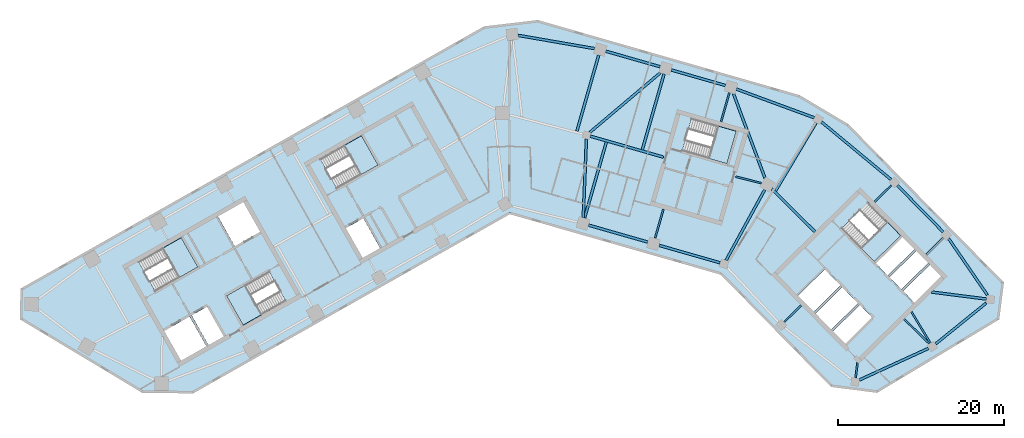
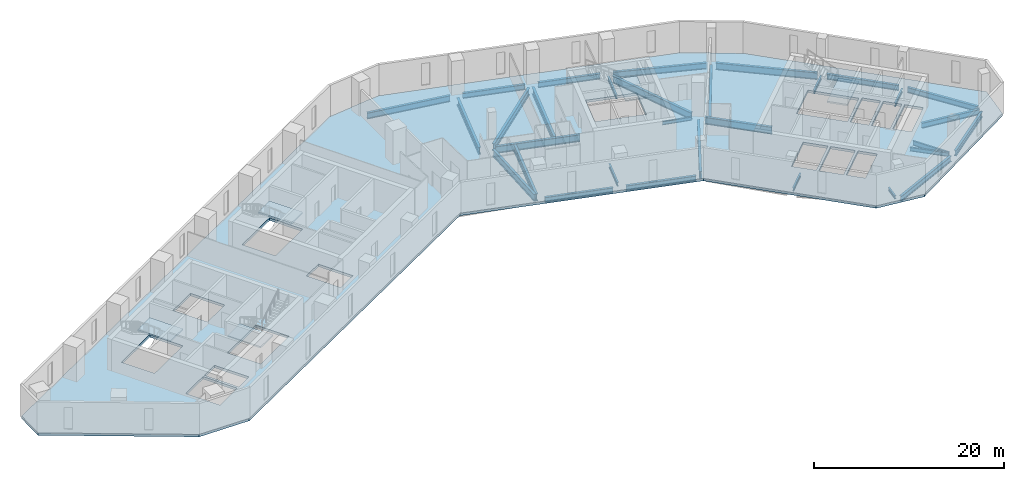
# One storey, part 2 of 10: 31 beams, 6 slabs, 5 elements without a shape of their own.
"""IFC4 building model written with IfcOpenShell, lengths in metres."""

import ifcopenshell
import ifcopenshell.guid

model = None  # the IFC model being written
_history = None  # IfcOwnerHistory: only IFC2X3 demands one
_inside = {}  # id of a spatial element -> (the spatial element, [elements in it])
_under = {}  # id of a project, library or spatial element -> (it, [spatial elements below it])
_declared = {}  # id of a project -> (the project, [libraries it declares])
_typed = {}  # id of a type object -> (the type object, [elements of that type])
_made_of = {}  # id of a material, layer set ... -> (it, [elements and type objects made of it])


def new_model(schema):
    """Start an empty IFC model of exactly this schema.

    Asked for "IFC4X3", IfcOpenShell would pick the latest addendum, in which some entities
    have other attributes; the version numbers below select the first issue.
    IFC2X3 requires an IfcOwnerHistory on every rooted entity: one is made here for all.
    """
    global model, _history
    if schema == "IFC4X3":
        model = ifcopenshell.file(schema_version=(4, 3, 0, 0))
    else:
        model = ifcopenshell.file(schema=schema)
    _inside.clear()
    _under.clear()
    _declared.clear()
    _typed.clear()
    _made_of.clear()
    _history = None
    if model.schema == "IFC2X3":
        org = make("IfcOrganization", Name="unknown")
        user = make(
            "IfcPersonAndOrganization",
            ThePerson=make("IfcPerson", FamilyName="unknown"),
            TheOrganization=org,
        )
        app = make(
            "IfcApplication",
            ApplicationDeveloper=org,
            Version="unknown",
            ApplicationFullName="unknown",
            ApplicationIdentifier="unknown",
        )
        _history = make(
            "IfcOwnerHistory",
            OwningUser=user,
            OwningApplication=app,
            ChangeAction="ADDED",
            CreationDate=0,
        )
    return model


def make(cls, **values):
    """One entity of the class cls with the attributes given. An attribute that is None is left unset."""
    return model.create_entity(
        cls, **{name: value for name, value in values.items() if value is not None}
    )


def rooted(cls, **values):
    """An entity with a GlobalId (a new one), such as an element, a storey or a relation."""
    return make(cls, GlobalId=ifcopenshell.guid.new(), OwnerHistory=_history, **values)


def si_unit(unit_type, name, prefix=None):
    """IfcSIUnit, for example si_unit("LENGTHUNIT", "METRE", prefix="MILLI")."""
    return make("IfcSIUnit", UnitType=unit_type, Prefix=prefix, Name=name)


def assignment(units):
    """IfcUnitAssignment: the units of a project."""
    return None if units is None else make("IfcUnitAssignment", Units=units)


def point(xyz):
    """IfcCartesianPoint."""
    return None if xyz is None else make("IfcCartesianPoint", Coordinates=xyz)


def direction(xyz):
    """IfcDirection."""
    return None if xyz is None else make("IfcDirection", DirectionRatios=xyz)


def frame(location, z_axis=None, x_axis=None):
    """IfcAxis2Placement3D, a coordinate frame: its origin and axes. An axis left out is left unset."""
    return make(
        "IfcAxis2Placement3D",
        Location=point(location),
        Axis=direction(z_axis),
        RefDirection=direction(x_axis),
    )


def frame_2d(location, x_axis=None):
    """IfcAxis2Placement2D, a coordinate frame in the plane: its origin and x axis."""
    return make(
        "IfcAxis2Placement2D", Location=point(location), RefDirection=direction(x_axis)
    )


def origin():
    """The frame at (0, 0, 0) with its axes left unset."""
    return frame((0.0, 0.0, 0.0))


def origin_2d():
    """The frame at (0, 0) in the plane with its x axis left unset."""
    return frame_2d((0.0, 0.0))


def place(relative_to, where):
    """IfcLocalPlacement: puts the frame where relative to a parent placement (None: the world)."""
    return make(
        "IfcLocalPlacement", PlacementRelTo=relative_to, RelativePlacement=where
    )


def context(
    kind, dimensions, precision=None, world=None, true_north=None, identifier=None
):
    """IfcGeometricRepresentationContext, for example the 3D "Model" context."""
    return make(
        "IfcGeometricRepresentationContext",
        ContextIdentifier=identifier,
        ContextType=kind,
        CoordinateSpaceDimension=dimensions,
        Precision=precision,
        WorldCoordinateSystem=world,
        TrueNorth=true_north,
    )


def subcontext(parent, identifier, kind, view, scale=None):
    """IfcGeometricRepresentationSubContext, for example "Body" below "Model"."""
    return make(
        "IfcGeometricRepresentationSubContext",
        ContextIdentifier=identifier,
        ContextType=kind,
        ParentContext=parent,
        TargetScale=scale,
        TargetView=view,
    )


def project(units=None, contexts=None):
    """IfcProject with its units and contexts."""
    return rooted(
        "IfcProject",
        Name="project",
        RepresentationContexts=contexts,
        UnitsInContext=assignment(units),
    )


def spatial(cls, under=None, at=None, **own):
    """A site, building, storey or space (cls), placed at a placement, below another one or the project."""
    s = rooted(cls, ObjectPlacement=at, **own)
    if under is not None:
        _under.setdefault(under.id(), (under, []))[1].append(s)
    return s


def polyline(points):
    """IfcPolyline through the points."""
    return make("IfcPolyline", Points=[point(p) for p in points])


def profile(cls, at=None, kind="AREA", **sizes):
    """A parametric profile (cls). Its sizes go by their IFC names, for example OverallWidth=200.0."""
    return make(cls, ProfileType=kind, Position=at, **sizes)


def i_section(**sizes):
    """IfcIShapeProfileDef."""
    return profile("IfcIShapeProfileDef", **sizes)


def outline(outer, holes=None, kind="AREA"):
    """IfcArbitraryClosedProfileDef: a profile drawn as a closed curve; with holes, ...WithVoids."""
    if holes is None:
        return make("IfcArbitraryClosedProfileDef", ProfileType=kind, OuterCurve=outer)
    return make(
        "IfcArbitraryProfileDefWithVoids",
        ProfileType=kind,
        OuterCurve=outer,
        InnerCurves=holes,
    )


def extrude(swept, where, along, depth):
    """IfcExtrudedAreaSolid: the profile swept, set in the frame where, extruded along a direction by depth."""
    return make(
        "IfcExtrudedAreaSolid",
        SweptArea=swept,
        Position=where,
        ExtrudedDirection=direction(along),
        Depth=depth,
    )


def shape(context_of_items, identifier, shape_type, items):
    """IfcShapeRepresentation: the items that make up one representation, for example the "Body"."""
    return make(
        "IfcShapeRepresentation",
        ContextOfItems=context_of_items,
        RepresentationIdentifier=identifier,
        RepresentationType=shape_type,
        Items=items,
    )


def material(Name=None, Category=None):
    """IfcMaterial."""
    return make("IfcMaterial", Name=Name, Category=Category)


def layer(
    of_material, thickness, ventilated=None, Name=None, Category=None, Priority=None
):
    """IfcMaterialLayer: one layer of a wall or slab, of a material (None: an air gap)."""
    return make(
        "IfcMaterialLayer",
        Material=of_material,
        LayerThickness=thickness,
        IsVentilated=ventilated,
        Name=Name,
        Category=Category,
        Priority=Priority,
    )


def layer_set(layers, Name=None):
    """IfcMaterialLayerSet."""
    return make("IfcMaterialLayerSet", MaterialLayers=layers, LayerSetName=Name)


def material_profile(
    of_material, cross_section, Name=None, Category=None, Priority=None
):
    """IfcMaterialProfile: a cross section and its material."""
    return make(
        "IfcMaterialProfile",
        Name=Name,
        Material=of_material,
        Profile=cross_section,
        Priority=Priority,
        Category=Category,
    )


def profile_set(profiles, Name=None, composite=None):
    """IfcMaterialProfileSet."""
    return make(
        "IfcMaterialProfileSet",
        Name=Name,
        MaterialProfiles=profiles,
        CompositeProfile=composite,
    )


def made_of(thing, what):
    """Note that an element or type object is made of a material, layer set ...; save() writes the relation."""
    if what is not None:
        _made_of.setdefault(what.id(), (what, []))[1].append(thing)
    return thing


def type_object(cls, material=None, **own):
    """A type object (cls), such as IfcWallType, which elements share."""
    return made_of(rooted(cls, **own), material)


def element(
    cls,
    number,
    at=None,
    inside=None,
    cuts=None,
    type_object=None,
    material=None,
    context=None,
    identifier="Body",
    shape_type=None,
    held_by="IfcProductDefinitionShape",
    body=None,
    shapes=None,
    **own,
):
    """One element of the class cls, such as IfcWall. Its Tag is "e" and its number.

    at: its placement. inside: the storey or other place that contains it. cuts: it is an
    opening in that element (IfcRelVoidsElement). A single representation is given by context,
    identifier, shape_type and body (its items); several are given by shapes. held_by: the class
    of the entity that holds the representations. save() writes the other relations.
    """
    e = rooted(cls, Tag="e%d" % number, ObjectPlacement=at, **own)
    if body is not None:
        shapes = [shape(context, identifier, shape_type, body)]
    if shapes is not None:
        e.Representation = make(held_by, Representations=shapes)
    if inside is not None:
        _inside.setdefault(inside.id(), (inside, []))[1].append(e)
    if cuts is not None:
        rooted(
            "IfcRelVoidsElement", RelatingBuildingElement=cuts, RelatedOpeningElement=e
        )
    if type_object is not None:
        _typed.setdefault(type_object.id(), (type_object, []))[1].append(e)
    return made_of(e, material)


def aggregate(whole, parts):
    """IfcRelAggregates: a whole, such as a stair, and the parts it consists of."""
    return rooted("IfcRelAggregates", RelatingObject=whole, RelatedObjects=parts)


def save(model, path):
    """Write the relations noted so far, then the file.

    IfcRelAggregates (storeys below a building ...), IfcRelContainedInSpatialStructure (elements
    in a storey), IfcRelDefinesByType, IfcRelAssociatesMaterial and IfcRelDeclares: one each for
    every whole, place, type object, material and project.
    """
    for whole, parts in _under.values():
        aggregate(whole, parts)
    for where, things in _inside.values():
        rooted(
            "IfcRelContainedInSpatialStructure",
            RelatedElements=things,
            RelatingStructure=where,
        )
    for kind, things in _typed.values():
        rooted("IfcRelDefinesByType", RelatedObjects=things, RelatingType=kind)
    for what, things in _made_of.values():
        rooted("IfcRelAssociatesMaterial", RelatedObjects=things, RelatingMaterial=what)
    for by, libraries in _declared.values():
        rooted("IfcRelDeclares", RelatingContext=by, RelatedDefinitions=libraries)
    model.write(path)


model = new_model("IFC4")

# Units and contexts
model_context = context("Model", 3, precision=1e-05, world=origin(), true_north=direction((0.0, 1.0)))
body_context = subcontext(model_context, "Body", "Model", "MODEL_VIEW")
ifc_project = project(units=[si_unit("LENGTHUNIT", "METRE"), si_unit("AREAUNIT", "SQUARE_METRE"), si_unit("VOLUMEUNIT", "CUBIC_METRE"), si_unit("PLANEANGLEUNIT", "RADIAN"), si_unit("MASSUNIT", "GRAM", prefix="KILO")], contexts=[model_context])

# Site, building, storey
site_placement = place(None, origin())
site = spatial("IfcSite", under=ifc_project, at=site_placement, CompositionType="ELEMENT")
building_placement = place(site_placement, origin())
building = spatial("IfcBuilding", under=site, at=building_placement, Name="Binnacle Exchange Tower", CompositionType="ELEMENT")
storey_placement = place(building_placement, frame((0.0, 0.0, 101.5)))
storey = spatial("IfcBuildingStorey", under=building, at=storey_placement, Name="L20", CompositionType="ELEMENT", Elevation=101.5)

# Beams
ifc_material_1 = material(Name="Steel S355 (SHN355)", Category="steel")
ifc_material_profile_1 = material_profile(ifc_material_1, i_section(OverallWidth=0.300048828125, OverallDepth=0.699951171875, WebThickness=0.012939453125, FlangeThickness=0.02392578125, FilletRadius=0.028076171875, at=origin_2d()), Name="H 700x300x13x24")
ifc_profile_set_1 = profile_set([ifc_material_profile_1], Name="Steel S355 (SHN355)")
beam_type_1 = type_object("IfcBeamType", Name="Edge girder H 700x300x13x24 Steel S355 (SHN355)", PredefinedType="SPANDREL", material=ifc_profile_set_1)
beam_1_placement = place(storey_placement, frame((9.482421875, 46.529296875, -0.669921875), z_axis=(0.961257800717, -0.275650939705, 0.0), x_axis=(0.275650939705, 0.961257800717, 0.0)))
element("IfcBeam", 1, at=beam_1_placement, inside=storey, type_object=beam_type_1, Name="S:BM:edge:L20:030", PredefinedType="SPANDREL", context=body_context, shape_type="SweptSolid", body=[
    extrude(i_section(OverallWidth=0.300048828125, OverallDepth=0.699951171875, WebThickness=0.012939453125, FlangeThickness=0.02392578125, FilletRadius=0.028076171875, at=origin_2d()), origin(), (0.0, 0.0, 1.0), 7.42041015625),
])
beam_2_placement = place(storey_placement, frame((17.961181640625, 44.09814453125, -0.669921875), z_axis=(0.961257524102, -0.275651904325, 0.0), x_axis=(0.275651904325, 0.961257524102, 0.0)))
element("IfcBeam", 2, at=beam_2_placement, inside=storey, type_object=beam_type_1, Name="S:BM:edge:L20:032", PredefinedType="SPANDREL", context=body_context, shape_type="SweptSolid", body=[
    extrude(i_section(OverallWidth=0.300048828125, OverallDepth=0.699951171875, WebThickness=0.012939453125, FlangeThickness=0.02392578125, FilletRadius=0.028076171875, at=origin_2d()), origin(), (0.0, 0.0, 1.0), 7.620361328125),
])
for number, where, z_axis, x_axis, name in (
    (3, (18.073486328125, 65.569091796875, -0.669921875), (-0.961258249907, 0.275649373272, 0.0), (-0.275649373272, -0.961258249907, 0.0), "S:BM:edge:L20:033"),
    (4, (25.9296875, 63.31640625, -0.669921875), (-0.961258249907, 0.275649373272, 0.0), (-0.275649373272, -0.961258249907, 0.0), "S:BM:edge:L20:034"),
):
    element("IfcBeam", number, at=place(storey_placement, frame(where, z_axis=z_axis, x_axis=x_axis)), inside=storey, type_object=beam_type_1, Name=name, PredefinedType="SPANDREL", context=body_context, shape_type="SweptSolid", body=[
        extrude(i_section(OverallWidth=0.300048828125, OverallDepth=0.699951171875, WebThickness=0.012939453125, FlangeThickness=0.02392578125, FilletRadius=0.028076171875, at=origin_2d()), origin(), (0.0, 0.0, 1.0), 6.77294921875),
    ])
beam_3_placement = place(storey_placement, frame((51.20458984375, 32.248291015625, -0.669921875), z_axis=(0.777570349394, 0.628795953981, 0.0), x_axis=(-0.628795953981, 0.777570349394, 0.0)))
element("IfcBeam", 5, at=beam_3_placement, inside=storey, type_object=beam_type_1, Name="S:BM:edge:L20:040", PredefinedType="SPANDREL", context=body_context, shape_type="SweptSolid", body=[
    extrude(i_section(OverallWidth=0.300048828125, OverallDepth=0.699951171875, WebThickness=0.012939453125, FlangeThickness=0.02392578125, FilletRadius=0.028076171875, at=origin_2d()), origin(), (0.0, 0.0, 1.0), 7.788330078125),
])
beam_4_placement = place(storey_placement, frame((52.1162109375, 45.69580078125, -0.669921875), z_axis=(-0.700892629455, 0.713266795789, 0.0), x_axis=(-0.713266795789, -0.700892629455, 0.0)))
element("IfcBeam", 6, at=beam_4_placement, inside=storey, type_object=beam_type_1, Name="S:BM:edge:L20:041", PredefinedType="SPANDREL", context=body_context, shape_type="SweptSolid", body=[
    extrude(i_section(OverallWidth=0.300048828125, OverallDepth=0.699951171875, WebThickness=0.012939453125, FlangeThickness=0.02392578125, FilletRadius=0.028076171875, at=origin_2d()), origin(), (0.0, 0.0, 1.0), 7.872314453125),
])
beam_5_placement = place(storey_placement, frame((57.41943359375, 38.13330078125, -0.669921875), z_axis=(-0.566410561214, 0.824123216604, 0.0), x_axis=(-0.824123216604, -0.566410561214, 0.0)))
element("IfcBeam", 7, at=beam_5_placement, inside=storey, type_object=beam_type_1, Name="S:BM:edge:L20:042", PredefinedType="SPANDREL", context=body_context, shape_type="SweptSolid", body=[
    extrude(i_section(OverallWidth=0.300048828125, OverallDepth=0.699951171875, WebThickness=0.012939453125, FlangeThickness=0.02392578125, FilletRadius=0.028076171875, at=origin_2d()), origin(), (0.0, 0.0, 1.0), 8.236083984375),
])
ifc_material_profile_2 = material_profile(ifc_material_1, i_section(OverallWidth=0.302001953125, OverallDepth=0.7080078125, WebThickness=0.014892578125, FlangeThickness=0.028076171875, FilletRadius=0.028076171875, at=origin_2d()), Name="H 708x302x15x28")
ifc_profile_set_2 = profile_set([ifc_material_profile_2], Name="Steel S355 (SHN355)")
beam_type_2 = type_object("IfcBeamType", Name="Edge girder H 708x302x15x28 Steel S355 (SHN355)", PredefinedType="SPANDREL", material=ifc_profile_set_2)
beam_6_placement = place(storey_placement, frame((42.054931640625, 27.919921875, -0.674072265625), z_axis=(0.909166515566, 0.41643276405, 0.0), x_axis=(-0.41643276405, 0.909166515566, 0.0)))
element("IfcBeam", 8, at=beam_6_placement, inside=storey, type_object=beam_type_2, Name="S:BM:edge:L20:038", PredefinedType="SPANDREL", context=body_context, shape_type="SweptSolid", body=[
    extrude(i_section(OverallWidth=0.302001953125, OverallDepth=0.7080078125, WebThickness=0.014892578125, FlangeThickness=0.028076171875, FilletRadius=0.028076171875, at=origin_2d()), origin(), (0.0, 0.0, 1.0), 9.128662109375),
])
ifc_material_profile_3 = material_profile(ifc_material_1, i_section(OverallWidth=0.300048828125, OverallDepth=0.800048828125, WebThickness=0.013916015625, FlangeThickness=0.02587890625, FilletRadius=0.028076171875, at=origin_2d()), Name="H 800x300x14x26")
ifc_profile_set_3 = profile_set([ifc_material_profile_3], Name="Steel S355 (SHN355)")
beam_type_3 = type_object("IfcBeamType", Name="Edge girder H 800x300x14x26 Steel S355 (SHN355)", PredefinedType="SPANDREL", material=ifc_profile_set_3)
beam_7_placement = place(storey_placement, frame((10.1962890625, 67.749267578125, -0.719970703125), z_axis=(-0.985312784176, 0.170759237931, 0.0), x_axis=(-0.170759237931, -0.985312784176, 0.0)))
element("IfcBeam", 9, at=beam_7_placement, inside=storey, type_object=beam_type_3, Name="S:BM:edge:L20:031", PredefinedType="SPANDREL", context=body_context, shape_type="SweptSolid", body=[
    extrude(i_section(OverallWidth=0.300048828125, OverallDepth=0.800048828125, WebThickness=0.013916015625, FlangeThickness=0.02587890625, FilletRadius=0.028076171875, at=origin_2d()), origin(), (0.0, 0.0, 1.0), 9.313232421875),
])
ifc_material_profile_4 = material_profile(ifc_material_1, i_section(OverallWidth=0.302001953125, OverallDepth=0.80810546875, WebThickness=0.01611328125, FlangeThickness=0.030029296875, FilletRadius=0.028076171875, at=origin_2d()), Name="H 808x302x16x30")
ifc_profile_set_4 = profile_set([ifc_material_profile_4], Name="Steel S355 (SHN355)")
beam_type_4 = type_object("IfcBeamType", Name="Edge girder H 808x302x16x30 Steel S355 (SHN355)", PredefinedType="SPANDREL", material=ifc_profile_set_4)
beam_8_placement = place(storey_placement, frame((36.60791015625, 59.438232421875, -0.72412109375), z_axis=(-0.938371988478, 0.3456269828, 0.0), x_axis=(-0.3456269828, -0.938371988478, 0.0)))
element("IfcBeam", 10, at=beam_8_placement, inside=storey, type_object=beam_type_4, Name="S:BM:edge:L20:037", PredefinedType="SPANDREL", context=body_context, shape_type="SweptSolid", body=[
    extrude(i_section(OverallWidth=0.302001953125, OverallDepth=0.80810546875, WebThickness=0.01611328125, FlangeThickness=0.030029296875, FilletRadius=0.028076171875, at=origin_2d()), origin(), (0.0, 0.0, 1.0), 9.96044921875),
])
ifc_material_profile_5 = material_profile(ifc_material_1, i_section(OverallWidth=0.300048828125, OverallDepth=0.89990234375, WebThickness=0.01611328125, FlangeThickness=0.028076171875, FilletRadius=0.028076171875, at=origin_2d()), Name="H 900x300x16x28")
ifc_profile_set_5 = profile_set([ifc_material_profile_5], Name="Steel S355 (SHN355)")
beam_type_5 = type_object("IfcBeamType", Name="Edge girder H 900x300x16x28 Steel S355 (SHN355)", PredefinedType="SPANDREL", material=ifc_profile_set_5)
beam_9_placement = place(storey_placement, frame((45.861083984375, 51.988037109375, -0.77001953125), z_axis=(-0.769903256509, 0.63816061898, 0.0), x_axis=(-0.63816061898, -0.769903256509, 0.0)))
element("IfcBeam", 11, at=beam_9_placement, inside=storey, type_object=beam_type_5, Name="S:BM:edge:L20:039", PredefinedType="SPANDREL", context=body_context, shape_type="SweptSolid", body=[
    extrude(i_section(OverallWidth=0.300048828125, OverallDepth=0.89990234375, WebThickness=0.01611328125, FlangeThickness=0.028076171875, FilletRadius=0.028076171875, at=origin_2d()), origin(), (0.0, 0.0, 1.0), 10.892822265625),
])
ifc_material_profile_6 = material_profile(ifc_material_1, i_section(OverallWidth=0.199951171875, OverallDepth=0.39990234375, WebThickness=0.008056640625, FlangeThickness=0.012939453125, FilletRadius=0.01611328125, at=origin_2d()), Name="H 400x200x8x13")
ifc_profile_set_6 = profile_set([ifc_material_profile_6], Name="Steel S355 (SHN355)")
beam_type_6 = type_object("IfcBeamType", Name="Floor beam H 400x200x8x13 Steel S355 (SHN355)", PredefinedType="BEAM", material=ifc_profile_set_6)
beam_10_placement = place(storey_placement, frame((41.582763671875, 28.1708984375, -0.52001953125), z_axis=(0.12626620762, 0.991996393549, 0.0), x_axis=(-0.991996393549, 0.12626620762, 0.0)))
element("IfcBeam", 12, at=beam_10_placement, inside=storey, type_object=beam_type_6, Name="S:BM:cross:L20:063", PredefinedType="BEAM", context=body_context, shape_type="SweptSolid", body=[
    extrude(i_section(OverallWidth=0.199951171875, OverallDepth=0.39990234375, WebThickness=0.008056640625, FlangeThickness=0.012939453125, FilletRadius=0.01611328125, at=origin_2d()), origin(), (0.0, 0.0, 1.0), 1.8310546875),
])
ifc_material_profile_7 = material_profile(ifc_material_1, i_section(OverallWidth=0.199951171875, OverallDepth=0.449951171875, WebThickness=0.009033203125, FlangeThickness=0.013916015625, FilletRadius=0.01806640625, at=origin_2d()), Name="H 450x200x9x14")
ifc_profile_set_7 = profile_set([ifc_material_profile_7], Name="Steel S355 (SHN355)")
beam_type_7 = type_object("IfcBeamType", Name="Floor beam H 450x200x9x14 Steel S355 (SHN355)", PredefinedType="BEAM", material=ifc_profile_set_7)
for number, where, z_axis, x_axis, name in (
    (13, (32.997802734375, 34.880615234375, -0.544921875), (0.713272005304, 0.700887327928, 0.0), (-0.700887327928, 0.713272005304, 0.0), "S:BM:cross:L20:061"),
    (14, (45.8916015625, 51.31689453125, -0.544921875), (-0.713272005304, -0.700887327928, 0.0), (0.700887327928, -0.713272005304, 0.0), "S:BM:cross:L20:064"),
    (15, (52.110107421875, 44.98876953125, -0.544921875), (-0.713272005304, -0.700887327928, 0.0), (0.700887327928, -0.713272005304, 0.0), "S:BM:cross:L20:066"),
):
    element("IfcBeam", number, at=place(storey_placement, frame(where, z_axis=z_axis, x_axis=x_axis)), inside=storey, type_object=beam_type_7, Name=name, PredefinedType="BEAM", context=body_context, shape_type="SweptSolid", body=[
        extrude(i_section(OverallWidth=0.199951171875, OverallDepth=0.449951171875, WebThickness=0.009033203125, FlangeThickness=0.013916015625, FilletRadius=0.01806640625, at=origin_2d()), origin(), (0.0, 0.0, 1.0), 2.8583984375),
    ])
ifc_material_profile_8 = material_profile(ifc_material_1, i_section(OverallWidth=0.200927734375, OverallDepth=0.506103515625, WebThickness=0.010986328125, FlangeThickness=0.01904296875, FilletRadius=0.02001953125, at=origin_2d()), Name="H 506x201x11x19")
ifc_profile_set_8 = profile_set([ifc_material_profile_8], Name="Steel S355 (SHN355)")
beam_type_8 = type_object("IfcBeamType", Name="Floor beam H 506x201x11x19 Steel S355 (SHN355)", PredefinedType="BEAM", material=ifc_profile_set_8)
beam_11_placement = place(storey_placement, frame((17.481201171875, 44.964111328125, -0.572998046875), z_axis=(0.275643564404, 0.961259915633, 0.0), x_axis=(-0.961259915633, 0.275643564404, 0.0)))
element("IfcBeam", 16, at=beam_11_placement, inside=storey, type_object=beam_type_8, Name="S:BM:cross:L20:058", PredefinedType="BEAM", context=body_context, shape_type="SweptSolid", body=[
    extrude(i_section(OverallWidth=0.200927734375, OverallDepth=0.506103515625, WebThickness=0.010986328125, FlangeThickness=0.01904296875, FilletRadius=0.02001953125, at=origin_2d()), origin(), (0.0, 0.0, 1.0), 3.635009765625),
])
beam_12_placement = place(storey_placement, frame((26.409912109375, 62.45068359375, -0.572998046875), z_axis=(-0.275687825643, -0.961247222515, 0.0), x_axis=(0.961247222515, -0.275687825643, 0.0)))
element("IfcBeam", 17, at=beam_12_placement, inside=storey, type_object=beam_type_8, Name="S:BM:cross:L20:060", PredefinedType="BEAM", context=body_context, shape_type="SweptSolid", body=[
    extrude(i_section(OverallWidth=0.200927734375, OverallDepth=0.506103515625, WebThickness=0.010986328125, FlangeThickness=0.01904296875, FilletRadius=0.02001953125, at=origin_2d()), origin(), (0.0, 0.0, 1.0), 3.63525390625),
])
ifc_material_profile_9 = material_profile(ifc_material_1, i_section(OverallWidth=0.199951171875, OverallDepth=0.60009765625, WebThickness=0.010986328125, FlangeThickness=0.01708984375, FilletRadius=0.02197265625, at=origin_2d()), Name="H 600x200x11x17")
ifc_profile_set_9 = profile_set([ifc_material_profile_9], Name="Steel S355 (SHN355)")
beam_type_9 = type_object("IfcBeamType", Name="Floor beam H 600x200x11x17 Steel S355 (SHN355)", PredefinedType="BEAM", material=ifc_profile_set_9)
beam_13_placement = place(storey_placement, frame((50.554443359375, 32.359619140625, -0.6201171875), z_axis=(-0.515054637465, 0.857157348697, 0.0), x_axis=(-0.857157348697, -0.515054637465, 0.0)))
element("IfcBeam", 18, at=beam_13_placement, inside=storey, type_object=beam_type_9, Name="S:BM:cross:L20:065", PredefinedType="BEAM", context=body_context, shape_type="SweptSolid", body=[
    extrude(i_section(OverallWidth=0.199951171875, OverallDepth=0.60009765625, WebThickness=0.010986328125, FlangeThickness=0.01708984375, FilletRadius=0.02197265625, at=origin_2d()), origin(), (0.0, 0.0, 1.0), 4.367431640625),
])
ifc_material_profile_10 = material_profile(ifc_material_1, i_section(OverallWidth=0.300048828125, OverallDepth=0.699951171875, WebThickness=0.012939453125, FlangeThickness=0.02392578125, FilletRadius=0.028076171875, at=origin_2d()), Name="H 700x300x13x24")
ifc_profile_set_10 = profile_set([ifc_material_profile_10], Name="Steel S355 (SHN355)")
beam_type_10 = type_object("IfcBeamType", Name="Floor beam H 700x300x13x24 Steel S355 (SHN355)", PredefinedType="BEAM", material=ifc_profile_set_10)
beam_14_placement = place(storey_placement, frame((57.302978515625, 37.64404296875, -0.669921875), z_axis=(-0.992004198178, 0.12620487628, 0.0), x_axis=(-0.12620487628, -0.992004198178, 0.0)))
element("IfcBeam", 19, at=beam_14_placement, inside=storey, type_object=beam_type_10, Name="S:BM:cross:L20:067", PredefinedType="BEAM", context=body_context, shape_type="SweptSolid", body=[
    extrude(i_section(OverallWidth=0.300048828125, OverallDepth=0.699951171875, WebThickness=0.012939453125, FlangeThickness=0.02392578125, FilletRadius=0.028076171875, at=origin_2d()), origin(), (0.0, 0.0, 1.0), 6.63134765625),
])
ifc_material_profile_11 = material_profile(ifc_material_1, i_section(OverallWidth=0.302978515625, OverallDepth=0.91796875, WebThickness=0.01904296875, FlangeThickness=0.037109375, FilletRadius=0.028076171875, at=origin_2d()), Name="H 918x303x19x37")
ifc_profile_set_11 = profile_set([ifc_material_profile_11], Name="Steel S355 (SHN355)")
beam_type_11 = type_object("IfcBeamType", Name="Floor beam H 918x303x19x37 Steel S355 (SHN355)", PredefinedType="BEAM", material=ifc_profile_set_11)
beam_15_placement = place(storey_placement, frame((9.00244140625, 47.395263671875, -0.779052734375), z_axis=(0.275642274849, 0.961260285415, 0.0), x_axis=(-0.961260285415, 0.275642274849, 0.0)))
element("IfcBeam", 20, at=beam_15_placement, inside=storey, type_object=beam_type_11, Name="S:BM:cross:L20:056", PredefinedType="BEAM", context=body_context, shape_type="SweptSolid", body=[
    extrude(i_section(OverallWidth=0.302978515625, OverallDepth=0.91796875, WebThickness=0.01904296875, FlangeThickness=0.037109375, FilletRadius=0.028076171875, at=origin_2d()), origin(), (0.0, 0.0, 1.0), 9.485107421875),
])
beam_16_placement = place(storey_placement, frame((10.697021484375, 66.9560546875, -0.779052734375), z_axis=(-0.27562260808, -0.961265924661, 0.0), x_axis=(0.961265924661, -0.27562260808, 0.0)))
element("IfcBeam", 21, at=beam_16_placement, inside=storey, type_object=beam_type_11, Name="S:BM:cross:L20:057", PredefinedType="BEAM", context=body_context, shape_type="SweptSolid", body=[
    extrude(i_section(OverallWidth=0.302978515625, OverallDepth=0.91796875, WebThickness=0.01904296875, FlangeThickness=0.037109375, FilletRadius=0.028076171875, at=origin_2d()), origin(), (0.0, 0.0, 1.0), 9.51318359375),
])
beam_17_placement = place(storey_placement, frame((18.553466796875, 64.703369140625, -0.779052734375), z_axis=(-0.275642274849, -0.961260285415, 0.0), x_axis=(0.961260285415, -0.275642274849, 0.0)))
element("IfcBeam", 22, at=beam_17_placement, inside=storey, type_object=beam_type_11, Name="S:BM:cross:L20:059", PredefinedType="BEAM", context=body_context, shape_type="SweptSolid", body=[
    extrude(i_section(OverallWidth=0.302978515625, OverallDepth=0.91796875, WebThickness=0.01904296875, FlangeThickness=0.037109375, FilletRadius=0.028076171875, at=origin_2d()), origin(), (0.0, 0.0, 1.0), 9.485107421875),
])
beam_18_placement = place(storey_placement, frame((36.829345703125, 58.832763671875, -0.779052734375), z_axis=(-0.51129570724, -0.859404852068, 0.0), x_axis=(0.859404852068, -0.51129570724, 0.0)))
element("IfcBeam", 23, at=beam_18_placement, inside=storey, type_object=beam_type_11, Name="S:BM:cross:L20:062", PredefinedType="BEAM", context=body_context, shape_type="SweptSolid", body=[
    extrude(i_section(OverallWidth=0.302978515625, OverallDepth=0.91796875, WebThickness=0.01904296875, FlangeThickness=0.037109375, FilletRadius=0.028076171875, at=origin_2d()), origin(), (0.0, 0.0, 1.0), 9.5361328125),
])
ifc_material_profile_12 = material_profile(ifc_material_1, i_section(OverallWidth=0.199951171875, OverallDepth=0.449951171875, WebThickness=0.009033203125, FlangeThickness=0.013916015625, FilletRadius=0.01806640625, at=origin_2d()), Name="H 450x200x9x14")
ifc_profile_set_12 = profile_set([ifc_material_profile_12], Name="Steel S355 (SHN355)")
beam_type_12 = type_object("IfcBeamType", Name="Spine girder H 450x200x9x14 Steel S355 (SHN355)", PredefinedType="BEAM", material=ifc_profile_set_12)
beam_19_placement = place(storey_placement, frame((27.17138671875, 52.35400390625, -0.544921875), z_axis=(0.969348404361, -0.245690193055, 0.0), x_axis=(0.245690193055, 0.969348404361, 0.0)))
element("IfcBeam", 24, at=beam_19_placement, inside=storey, type_object=beam_type_12, Name="S:BM:spine:L20:010", PredefinedType="BEAM", context=body_context, shape_type="SweptSolid", body=[
    extrude(i_section(OverallWidth=0.199951171875, OverallDepth=0.449951171875, WebThickness=0.009033203125, FlangeThickness=0.013916015625, FilletRadius=0.01806640625, at=origin_2d()), origin(), (0.0, 0.0, 1.0), 3.20361328125),
])
ifc_material_profile_13 = material_profile(ifc_material_1, i_section(OverallWidth=0.200927734375, OverallDepth=0.506103515625, WebThickness=0.010986328125, FlangeThickness=0.01904296875, FilletRadius=0.02001953125, at=origin_2d()), Name="H 506x201x11x19")
ifc_profile_set_13 = profile_set([ifc_material_profile_13], Name="Steel S355 (SHN355)")
beam_type_13 = type_object("IfcBeamType", Name="Spine girder H 506x201x11x19 Steel S355 (SHN355)", PredefinedType="BEAM", material=ifc_profile_set_13)
beam_20_placement = place(storey_placement, frame((47.417236328125, 35.23095703125, -0.572998046875), z_axis=(0.71705117811, -0.697020521915, 0.0), x_axis=(0.697020521915, 0.71705117811, 0.0)))
element("IfcBeam", 25, at=beam_20_placement, inside=storey, type_object=beam_type_13, Name="S:BM:spine:L20:014", PredefinedType="BEAM", context=body_context, shape_type="SweptSolid", body=[
    extrude(i_section(OverallWidth=0.200927734375, OverallDepth=0.506103515625, WebThickness=0.010986328125, FlangeThickness=0.01904296875, FilletRadius=0.02001953125, at=origin_2d()), origin(), (0.0, 0.0, 1.0), 4.21728515625),
])
ifc_material_profile_14 = material_profile(ifc_material_1, i_section(OverallWidth=0.300048828125, OverallDepth=0.89990234375, WebThickness=0.01611328125, FlangeThickness=0.028076171875, FilletRadius=0.028076171875, at=origin_2d()), Name="H 900x300x16x28")
ifc_profile_set_14 = profile_set([ifc_material_profile_14], Name="Steel S355 (SHN355)")
beam_type_14 = type_object("IfcBeamType", Name="Spine girder H 900x300x16x28 Steel S355 (SHN355)", PredefinedType="BEAM", material=ifc_profile_set_14)
beam_21_placement = place(storey_placement, frame((9.22216796875, 56.887451171875, -0.77001953125), z_axis=(-0.040573469093, -0.999176557774, 0.0), x_axis=(0.999176557774, -0.040573469093, 0.0)))
element("IfcBeam", 26, at=beam_21_placement, inside=storey, type_object=beam_type_14, Name="S:BM:spine:L20:007", PredefinedType="BEAM", context=body_context, shape_type="SweptSolid", body=[
    extrude(i_section(OverallWidth=0.300048828125, OverallDepth=0.89990234375, WebThickness=0.01611328125, FlangeThickness=0.028076171875, FilletRadius=0.028076171875, at=origin_2d()), origin(), (0.0, 0.0, 1.0), 9.453125),
])
beam_22_placement = place(storey_placement, frame((30.65234375, 50.771484375, -0.77001953125), z_axis=(-0.480722811784, -0.876872612316, 0.0), x_axis=(0.876872612316, -0.480722811784, 0.0)))
element("IfcBeam", 27, at=beam_22_placement, inside=storey, type_object=beam_type_14, Name="S:BM:spine:L20:011", PredefinedType="BEAM", context=body_context, shape_type="SweptSolid", body=[
    extrude(i_section(OverallWidth=0.300048828125, OverallDepth=0.89990234375, WebThickness=0.01611328125, FlangeThickness=0.028076171875, FilletRadius=0.028076171875, at=origin_2d()), origin(), (0.0, 0.0, 1.0), 9.650390625),
])
ifc_material_profile_15 = material_profile(ifc_material_1, i_section(OverallWidth=0.302978515625, OverallDepth=0.91796875, WebThickness=0.01904296875, FlangeThickness=0.037109375, FilletRadius=0.028076171875, at=origin_2d()), Name="H 918x303x19x37")
ifc_profile_set_15 = profile_set([ifc_material_profile_15], Name="Steel S355 (SHN355)")
beam_type_15 = type_object("IfcBeamType", Name="Spine girder H 918x303x19x37 Steel S355 (SHN355)", PredefinedType="BEAM", material=ifc_profile_set_15)
beam_23_placement = place(storey_placement, frame((9.65478515625, 57.69970703125, -0.779052734375), z_axis=(0.764067648684, 0.645136131552, 0.0), x_axis=(-0.645136131552, 0.764067648684, 0.0)))
element("IfcBeam", 28, at=beam_23_placement, inside=storey, type_object=beam_type_15, Name="S:BM:spine:L20:008", PredefinedType="BEAM", context=body_context, shape_type="SweptSolid", body=[
    extrude(i_section(OverallWidth=0.302978515625, OverallDepth=0.91796875, WebThickness=0.01904296875, FlangeThickness=0.037109375, FilletRadius=0.028076171875, at=origin_2d()), origin(), (0.0, 0.0, 1.0), 11.056396484375),
])
beam_24_placement = place(storey_placement, frame((9.673583984375, 57.226318359375, -0.779052734375), z_axis=(0.961256048299, -0.275657050715, 0.0), x_axis=(0.275657050715, 0.961256048299, 0.0)))
element("IfcBeam", 29, at=beam_24_placement, inside=storey, type_object=beam_type_15, Name="S:BM:spine:L20:009", PredefinedType="BEAM", context=body_context, shape_type="SweptSolid", body=[
    extrude(i_section(OverallWidth=0.302978515625, OverallDepth=0.91796875, WebThickness=0.01904296875, FlangeThickness=0.037109375, FilletRadius=0.028076171875, at=origin_2d()), origin(), (0.0, 0.0, 1.0), 9.1630859375),
])
beam_25_placement = place(storey_placement, frame((30.6806640625, 52.212890625, -0.779052734375), z_axis=(-0.350112820386, 0.93670753867, 0.0), x_axis=(-0.93670753867, -0.350112820386, 0.0)))
element("IfcBeam", 30, at=beam_25_placement, inside=storey, type_object=beam_type_15, Name="S:BM:spine:L20:012", PredefinedType="BEAM", context=body_context, shape_type="SweptSolid", body=[
    extrude(i_section(OverallWidth=0.302978515625, OverallDepth=0.91796875, WebThickness=0.01904296875, FlangeThickness=0.037109375, FilletRadius=0.028076171875, at=origin_2d()), origin(), (0.0, 0.0, 1.0), 10.777099609375),
])
beam_26_placement = place(storey_placement, frame((31.499755859375, 50.8818359375, -0.779052734375), z_axis=(0.710998016372, -0.703194013566, 0.0), x_axis=(0.703194013566, 0.710998016372, 0.0)))
element("IfcBeam", 31, at=beam_26_placement, inside=storey, type_object=beam_type_15, Name="S:BM:spine:L20:013", PredefinedType="BEAM", context=body_context, shape_type="SweptSolid", body=[
    extrude(i_section(OverallWidth=0.302978515625, OverallDepth=0.91796875, WebThickness=0.01904296875, FlangeThickness=0.037109375, FilletRadius=0.028076171875, at=origin_2d()), origin(), (0.0, 0.0, 1.0), 7.320556640625),
])

# Slab
ifc_material_2 = material(Name="Concrete C35/45", Category="concrete")
ifc_layer_1 = layer(ifc_material_2, 0.320068359375)
ifc_layer_set_1 = layer_set([ifc_layer_1], Name="Floor slab 320 Concrete C35/45")
slab_type_1 = type_object("IfcSlabType", Name="Floor slab 320 Concrete C35/45", PredefinedType="FLOOR", material=ifc_layer_set_1)
slab_1_placement = place(storey_placement, frame((0.0, 0.0, -0.320068359375)))
element("IfcSlab", 32, at=slab_1_placement, inside=storey, type_object=slab_type_1, Name="S:SL:L20:01", PredefinedType="FLOOR", context=body_context, shape_type="SweptSolid", body=[
    extrude(outline(polyline([(59.262939453125, 39.5791015625), (58.716064453125, 35.280029296875), (44.14404296875, 26.5244140625), (38.69091796875, 27.21826171875), (25.43603515625, 40.706298828125), (0.0, 48.0), (-38.097900390625, 26.4453125), (-44.14404296875, 26.5244140625), (-58.716064453125, 35.280029296875), (-58.669921875, 38.80615234375), (-3.046142578125, 70.276611328125), (3.364501953125, 71.035400390625), (34.789794921875, 62.024169921875), (40.607421875, 58.56298828125), (59.262939453125, 39.5791015625)]), holes=[polyline([(-38.4794921875, 35.529296875), (-41.61279296875, 33.756591796875), (-39.544677734375, 30.10107421875), (-36.411376953125, 31.873779296875), (-38.4794921875, 35.529296875)]), polyline([(-34.322509765625, 33.0556640625), (-36.390625, 36.711181640625), (-38.21826171875, 35.677001953125), (-36.150146484375, 32.021484375), (-34.322509765625, 33.0556640625)]), polyline([(-34.040771484375, 38.04052734375), (-32.04638671875, 34.515625), (-26.9287109375, 37.4111328125), (-28.923095703125, 40.93603515625), (-34.040771484375, 38.04052734375)]), polyline([(-37.486572265625, 41.4912109375), (-39.480712890625, 45.01611328125), (-44.598388671875, 42.12060546875), (-42.604248046875, 38.595703125), (-37.486572265625, 41.4912109375)]), polyline([(-15.53076171875, 43.6875), (-17.598876953125, 47.343017578125), (-19.77490234375, 46.11181640625), (-17.70654296875, 42.456298828125), (-15.53076171875, 43.6875)]), polyline([(-29.914306640625, 45.775390625), (-31.982666015625, 49.430908203125), (-35.115966796875, 47.657958984375), (-33.047607421875, 44.00244140625), (-29.914306640625, 45.775390625)]), polyline([(-15.822509765625, 53.748046875), (-17.81689453125, 57.27294921875), (-22.760498046875, 54.47607421875), (-20.76611328125, 50.950927734375), (-15.822509765625, 53.748046875)]), polyline([(26.111328125, 53.9169921875), (27.227783203125, 57.810302734375), (21.864013671875, 59.348388671875), (20.74755859375, 55.455078125), (26.111328125, 53.9169921875)]), polyline([(40.268798828125, 32.201904296875), (43.549560546875, 35.426025390625), (42.07763671875, 36.923828125), (38.796875, 33.69970703125), (40.268798828125, 32.201904296875)]), polyline([(38.58642578125, 33.913818359375), (41.867431640625, 37.137939453125), (39.97509765625, 39.063720703125), (36.694091796875, 35.83935546875), (38.58642578125, 33.913818359375)]), polyline([(36.48388671875, 36.053466796875), (39.7646484375, 39.277587890625), (37.872314453125, 41.203369140625), (34.59130859375, 37.979248046875), (36.48388671875, 36.053466796875)]), polyline([(48.726806640625, 37.148681640625), (52.0078125, 40.372802734375), (50.577880859375, 41.827880859375), (47.296875, 38.603759765625), (48.726806640625, 37.148681640625)]), polyline([(47.086669921875, 38.817626953125), (50.36767578125, 42.0419921875), (48.944580078125, 43.48974609375), (45.663818359375, 40.265625), (47.086669921875, 38.817626953125)]), polyline([(45.45361328125, 40.4794921875), (48.734375, 43.703857421875), (47.3115234375, 45.151611328125), (44.030517578125, 41.927490234375), (45.45361328125, 40.4794921875)]), polyline([(43.8203125, 42.141357421875), (46.994384765625, 45.260498046875), (43.083251953125, 49.240478515625), (39.9091796875, 46.121337890625), (43.8203125, 42.141357421875)])]), origin(), (0.0, 0.0, 1.0), 0.320068359375),
])

# Stair, slab
stair_type = type_object("IfcStairType", Name="STAIR 26 RISERS 169", PredefinedType="HALF_TURN_STAIR", material=ifc_material_2)
stair_1_placement = place(storey_placement, origin())
stair_1 = element("IfcStair", 33, at=stair_1_placement, inside=storey, type_object=stair_type, Name="L20 Escape stair A1", PredefinedType="HALF_TURN_STAIR")
ifc_layer_2 = layer(ifc_material_2, 0.199951171875)
ifc_layer_set_2 = layer_set([ifc_layer_2], Name="STAIR LANDING 200")
slab_type_2 = type_object("IfcSlabType", Name="STAIR LANDING 200", PredefinedType="LANDING", material=ifc_layer_set_2)
slab_2_placement = place(storey_placement, frame((0.0, 0.0, 2.0)))
slab_2 = element("IfcSlab", 34, at=slab_2_placement, type_object=slab_type_2, Name="STA1 landing 1", PredefinedType="LANDING", context=body_context, shape_type="SweptSolid", body=[
    extrude(outline(polyline([(-39.714599609375, 40.23046875), (-37.486572265625, 41.4912109375), (-39.48095703125, 45.01611328125), (-41.708984375, 43.755615234375), (-39.714599609375, 40.23046875)])), origin(), (0.0, 0.0, 1.0), 0.199951171875),
])
aggregate(stair_1, [slab_2])

stair_2_placement = place(storey_placement, origin())
stair_2 = element("IfcStair", 35, at=stair_2_placement, inside=storey, type_object=stair_type, Name="L20 Escape stair A2", PredefinedType="HALF_TURN_STAIR")
slab_3_placement = place(storey_placement, frame((0.0, 0.0, 2.0)))
slab_3 = element("IfcSlab", 36, at=slab_3_placement, type_object=slab_type_2, Name="STA2 landing 1", PredefinedType="LANDING", context=body_context, shape_type="SweptSolid", body=[
    extrude(outline(polyline([(-31.8125, 39.30126953125), (-34.040771484375, 38.04052734375), (-32.04638671875, 34.515625), (-29.818359375, 35.7763671875), (-31.8125, 39.30126953125)])), origin(), (0.0, 0.0, 1.0), 0.199951171875),
])
aggregate(stair_2, [slab_3])

stair_3_placement = place(storey_placement, origin())
stair_3 = element("IfcStair", 37, at=stair_3_placement, inside=storey, type_object=stair_type, Name="L20 Escape stair B1", PredefinedType="HALF_TURN_STAIR")
slab_4_placement = place(storey_placement, frame((0.0, 0.0, 2.0)))
slab_4 = element("IfcSlab", 38, at=slab_4_placement, type_object=slab_type_2, Name="STB1 landing 1", PredefinedType="LANDING", context=body_context, shape_type="SweptSolid", body=[
    extrude(outline(polyline([(42.236328125, 43.75341796875), (43.8203125, 42.141357421875), (46.994384765625, 45.260498046875), (45.410400390625, 46.872314453125), (42.236328125, 43.75341796875)])), origin(), (0.0, 0.0, 1.0), 0.199951171875),
])
aggregate(stair_3, [slab_4])

stair_4_placement = place(storey_placement, origin())
stair_4 = element("IfcStair", 39, at=stair_4_placement, inside=storey, type_object=stair_type, Name="L20 Escape stair C1", PredefinedType="HALF_TURN_STAIR")
slab_5_placement = place(storey_placement, frame((0.0, 0.0, 2.0)))
slab_5 = element("IfcSlab", 40, at=slab_5_placement, type_object=slab_type_2, Name="STC1 landing 1", PredefinedType="LANDING", context=body_context, shape_type="SweptSolid", body=[
    extrude(outline(polyline([(-17.876708984375, 52.5859375), (-15.822509765625, 53.748046875), (-17.81689453125, 57.27294921875), (-19.870849609375, 56.11083984375), (-17.876708984375, 52.5859375)])), origin(), (0.0, 0.0, 1.0), 0.199951171875),
])
aggregate(stair_4, [slab_5])

stair_5_placement = place(storey_placement, origin())
stair_5 = element("IfcStair", 41, at=stair_5_placement, inside=storey, type_object=stair_type, Name="L20 Escape stair D1", PredefinedType="HALF_TURN_STAIR")
slab_6_placement = place(storey_placement, frame((0.0, 0.0, 2.0)))
slab_6 = element("IfcSlab", 42, at=slab_6_placement, type_object=slab_type_2, Name="STD1 landing 1", PredefinedType="LANDING", context=body_context, shape_type="SweptSolid", body=[
    extrude(outline(polyline([(23.93896484375, 54.5400390625), (26.111328125, 53.917236328125), (27.227783203125, 57.810302734375), (25.05517578125, 58.43310546875), (23.93896484375, 54.5400390625)])), origin(), (0.0, 0.0, 1.0), 0.199951171875),
])
aggregate(stair_5, [slab_6])

save(model, "model.ifc")
